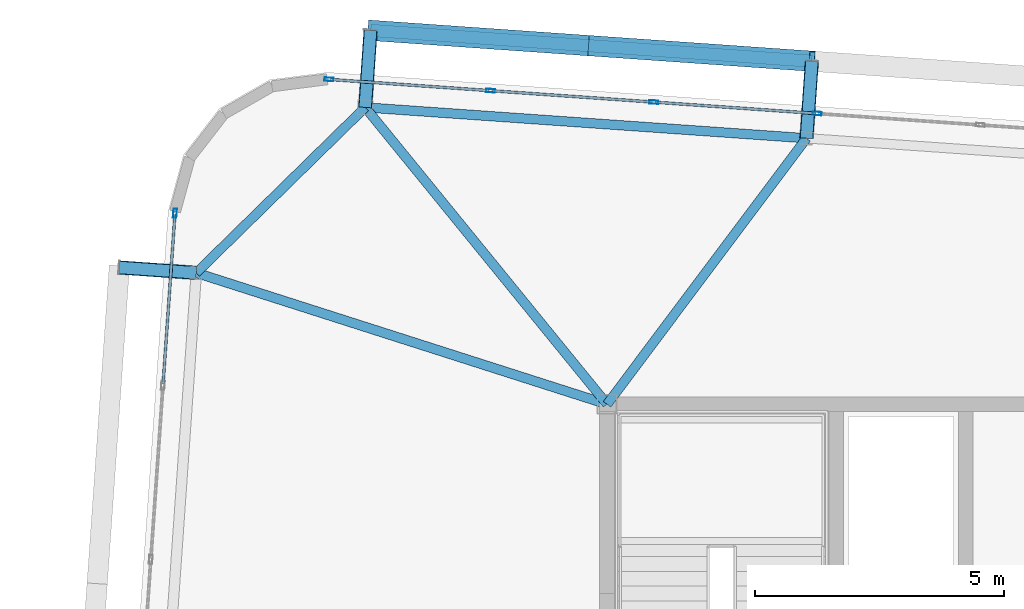
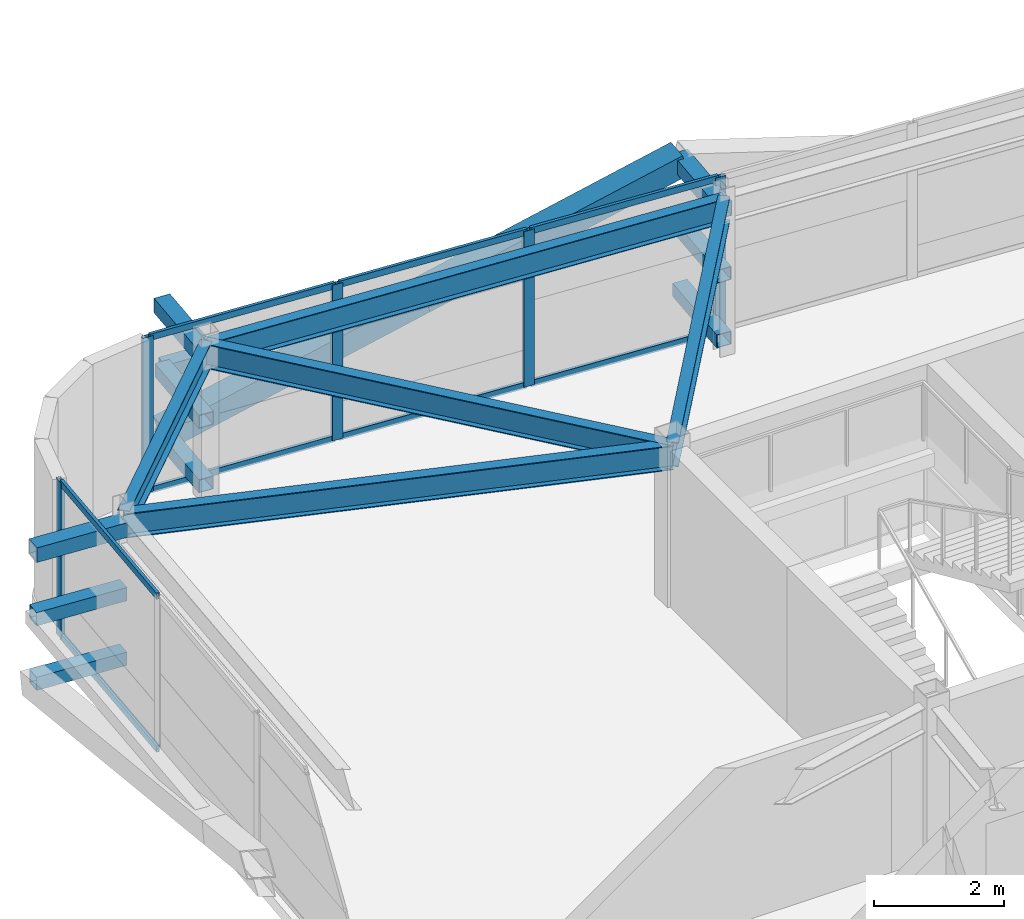
# One storey, part 26 of 47: 25 members, 5 beams, 2 elements without a shape of their own.
"""IFC4 building model written with IfcOpenShell, lengths in metres."""

from ifc_helpers import new_model, si_unit, direction, frame, origin, origin_2d, place, context, subcontext, project, spatial, hollow_rectangle, i_section, extrude, source, transform, mapped, material, layer, layer_set, material_profile, profile_set, type_object, element, aggregate, save


model = new_model("IFC4")

# Units and contexts
model_context = context("Model", 3, precision=1e-05, world=origin(), true_north=direction((0.0, 1.0)))
body_context = subcontext(model_context, "Body", "Model", "MODEL_VIEW")
ifc_project = project(units=[si_unit("LENGTHUNIT", "METRE"), si_unit("AREAUNIT", "SQUARE_METRE"), si_unit("VOLUMEUNIT", "CUBIC_METRE"), si_unit("PLANEANGLEUNIT", "RADIAN"), si_unit("MASSUNIT", "GRAM", prefix="KILO")], contexts=[model_context])

# Site, building, storey
site_placement = place(None, origin())
site = spatial("IfcSite", under=ifc_project, at=site_placement, CompositionType="ELEMENT")
building_placement = place(site_placement, origin())
building = spatial("IfcBuilding", under=site, at=building_placement, Name="Taldren Reach Tower", CompositionType="ELEMENT")
storey_placement = place(building_placement, frame((0.0, 0.0, 139.300048828125)))
storey = spatial("IfcBuildingStorey", under=building, at=storey_placement, Name="L42", CompositionType="ELEMENT", Elevation=139.300048828125)

# Members
ifc_material_1 = material(Name="Steel Gr 450 (C450L0)", Category="steel")
ifc_material_profile_1 = material_profile(ifc_material_1, hollow_rectangle(XDim=0.27490234375, YDim=0.27490234375, WallThickness=0.00927734375, at=origin_2d()), Name="275x275x9.3SHS")
ifc_profile_set_1 = profile_set([ifc_material_profile_1], Name="Steel Gr 450 (C450L0)")
member_type_1 = type_object("IfcMemberType", Name="MB-TIE273", PredefinedType="STRUT", material=ifc_profile_set_1)
shared_shape_1 = source(origin(), body_context, "Body", "SweptSolid", [
    extrude(hollow_rectangle(XDim=0.27490234375, YDim=0.27490234375, WallThickness=0.00927734375, at=origin_2d()), origin(), (0.0, 0.0, 1.0), 1.5498046875),
])
for number, where, z_axis, x_axis, name in (
    (1, (14.14453125, 37.958740234375, 2.64990234375), (0.069780535098, 0.997562367434, 0.0), (-0.997562367434, 0.069780535098, 0.0), "Exoskeleton diaphragm tie strut B3-N1 L42"),
    (2, (23.0029296875, 37.33935546875, 2.64990234375), (0.069780535098, 0.997562367434, 0.0), (-0.997562367434, 0.069780535098, 0.0), "Exoskeleton diaphragm tie strut B3-N2 L42"),
    (3, (10.754638671875, 34.63720703125, 2.64990234375), (-0.997562367434, 0.069780535098, 0.0), (-0.069780535098, -0.997562367434, 0.0), "Exoskeleton diaphragm tie strut B3-W3 L42"),
):
    element("IfcMember", number, at=place(storey_placement, frame(where, z_axis=z_axis, x_axis=x_axis)), inside=storey, type_object=member_type_1, Name=name, PredefinedType="STRUT", context=body_context, shape_type="MappedRepresentation", body=[
        mapped(shared_shape_1, transform((0.0, 0.0, 0.0), scale=1.0)),
    ])
ifc_material_2 = material(Name="Steel Gr 350 (C350L0)", Category="steel")
ifc_material_profile_2 = material_profile(ifc_material_2, hollow_rectangle(XDim=0.25, YDim=0.25, WallThickness=0.010009765625, at=origin_2d()), Name="250x250x10.0SHS")
ifc_profile_set_2 = profile_set([ifc_material_profile_2], Name="Steel Gr 350 (C350L0)")
member_type_2 = type_object("IfcMemberType", Name="MB-POST250", PredefinedType="POST", material=ifc_profile_set_2)
shared_shape_2 = source(origin(), body_context, "Body", "SweptSolid", [
    extrude(hollow_rectangle(XDim=0.25, YDim=0.25, WallThickness=0.010009765625, at=origin_2d()), origin(), (0.0, 0.0, 1.0), 1.5498046875),
])
for number, where, z_axis, x_axis, name in (
    (4, (14.14453125, 37.958740234375, 0.219970703125), (0.069780535098, 0.997562367434, 0.0), (-0.997562367434, 0.069780535098, 0.0), "Exoskeleton base diaphragm tie strut B3-N1 L42"),
    (5, (23.0029296875, 37.33935546875, 0.219970703125), (0.069780535098, 0.997562367434, 0.0), (-0.997562367434, 0.069780535098, 0.0), "Exoskeleton base diaphragm tie strut B3-N2 L42"),
    (6, (10.754638671875, 34.63720703125, 0.219970703125), (-0.997562367434, 0.069780535098, 0.0), (-0.069780535098, -0.997562367434, 0.0), "Exoskeleton base diaphragm tie strut B3-W3 L42"),
    (7, (14.14453125, 37.958740234375, 1.43505859375), (0.069780535098, 0.997562367434, 0.0), (-0.997562367434, 0.069780535098, 0.0), "Exoskeleton mid-tier diaphragm tie B3-N1 L42"),
    (8, (23.0029296875, 37.33935546875, 1.43505859375), (0.069780535098, 0.997562367434, 0.0), (-0.997562367434, 0.069780535098, 0.0), "Exoskeleton mid-tier diaphragm tie B3-N2 L42"),
    (9, (10.754638671875, 34.63720703125, 1.43505859375), (-0.997562367434, 0.069780535098, 0.0), (-0.069780535098, -0.997562367434, 0.0), "Exoskeleton mid-tier diaphragm tie B3-W3 L42"),
):
    element("IfcMember", number, at=place(storey_placement, frame(where, z_axis=z_axis, x_axis=x_axis)), inside=storey, type_object=member_type_2, Name=name, PredefinedType="POST", context=body_context, shape_type="MappedRepresentation", body=[
        mapped(shared_shape_2, transform((0.0, 0.0, 0.0), scale=1.0)),
    ])

# Beams
ifc_material_3 = material(Name="Steel Gr 350 (350PLUS)", Category="steel")
ifc_material_profile_3 = material_profile(ifc_material_3, i_section(OverallWidth=0.18994140625, OverallDepth=0.4541015625, WebThickness=0.008544921875, FlangeThickness=0.0126953125, at=origin_2d()), Name="460UB67.1")
ifc_profile_set_3 = profile_set([ifc_material_profile_3], Name="Steel Gr 350 (350PLUS)")
beam_type_1 = type_object("IfcBeamType", Name="SP-UB460B", PredefinedType="SPANDREL", material=ifc_profile_set_3)
shared_shape_3 = source(origin(), body_context, "Body", "SweptSolid", [
    extrude(i_section(OverallWidth=0.18994140625, OverallDepth=0.4541015625, WebThickness=0.008544921875, FlangeThickness=0.0126953125, at=origin_2d()), origin(), (0.0, 0.0, 1.0), 8.880126953125),
])
beam_1_placement = place(storey_placement, frame((23.0029296875, 37.33935546875, 2.702880859375), z_axis=(-0.997564479639, 0.069750333063, 0.0), x_axis=(-0.069750333063, -0.997564479639, 0.0)))
element("IfcBeam", 10, at=beam_1_placement, inside=storey, type_object=beam_type_1, Name="Perimeter spandrel B3 N2-N1 L42", PredefinedType="SPANDREL", context=body_context, shape_type="MappedRepresentation", body=[
    mapped(shared_shape_3, transform((0.0, 0.0, 0.0), scale=1.0)),
])
shared_shape_4 = source(origin(), body_context, "Body", "SweptSolid", [
    extrude(i_section(OverallWidth=0.18994140625, OverallDepth=0.4541015625, WebThickness=0.008544921875, FlangeThickness=0.0126953125, at=origin_2d()), origin(), (0.0, 0.0, 1.0), 4.745849609375),
])
beam_2_placement = place(storey_placement, frame((14.14453125, 37.958740234375, 2.702880859375), z_axis=(-0.714271982806, -0.699868226581, 0.0), x_axis=(0.699868226581, -0.714271982806, 0.0)))
element("IfcBeam", 11, at=beam_2_placement, inside=storey, type_object=beam_type_1, Name="Perimeter spandrel B3 N1-W3 L42", PredefinedType="SPANDREL", context=body_context, shape_type="MappedRepresentation", body=[
    mapped(shared_shape_4, transform((0.0, 0.0, 0.0), scale=1.0)),
])
ifc_material_profile_4 = material_profile(ifc_material_3, i_section(OverallWidth=0.19091796875, OverallDepth=0.4599609375, WebThickness=0.010009765625, FlangeThickness=0.01611328125, at=origin_2d()), Name="460UB82.1")
ifc_profile_set_4 = profile_set([ifc_material_profile_4], Name="Steel Gr 350 (350PLUS)")
beam_type_2 = type_object("IfcBeamType", Name="BM-UB460A", PredefinedType="BEAM", material=ifc_profile_set_4)
shared_shape_5 = source(origin(), body_context, "Body", "SweptSolid", [
    extrude(i_section(OverallWidth=0.19091796875, OverallDepth=0.4599609375, WebThickness=0.010009765625, FlangeThickness=0.01611328125, at=origin_2d()), origin(), (0.0, 0.0, 1.0), 6.67333984375),
])
beam_3_placement = place(storey_placement, frame((19.0, 32.0, 2.699951171875), z_axis=(0.599847795508, 0.800114130749, 0.0), x_axis=(-0.800114130749, 0.599847795508, 0.0)))
element("IfcBeam", 12, at=beam_3_placement, inside=storey, type_object=beam_type_2, Name="Primary floor girder B3-N2 L42", PredefinedType="BEAM", context=body_context, shape_type="MappedRepresentation", body=[
    mapped(shared_shape_5, transform((0.0, 0.0, 0.0), scale=1.0)),
])
shared_shape_6 = source(origin(), body_context, "Body", "SweptSolid", [
    extrude(i_section(OverallWidth=0.19091796875, OverallDepth=0.4599609375, WebThickness=0.010009765625, FlangeThickness=0.01611328125, at=origin_2d()), origin(), (0.0, 0.0, 1.0), 7.6865234375),
])
beam_4_placement = place(storey_placement, frame((19.0, 32.0, 2.699951171875), z_axis=(-0.631688504871, 0.775222311866, 0.0), x_axis=(-0.775222311866, -0.631688504871, 0.0)))
element("IfcBeam", 13, at=beam_4_placement, inside=storey, type_object=beam_type_2, Name="Primary floor girder B3-N1 L42", PredefinedType="BEAM", context=body_context, shape_type="MappedRepresentation", body=[
    mapped(shared_shape_6, transform((0.0, 0.0, 0.0), scale=1.0)),
])
shared_shape_7 = source(origin(), body_context, "Body", "SweptSolid", [
    extrude(i_section(OverallWidth=0.19091796875, OverallDepth=0.4599609375, WebThickness=0.010009765625, FlangeThickness=0.01611328125, at=origin_2d()), origin(), (0.0, 0.0, 1.0), 8.65673828125),
])
beam_5_placement = place(storey_placement, frame((19.0, 32.0, 2.699951171875), z_axis=(-0.952468016288, 0.304638602195, 0.0), x_axis=(-0.304638602195, -0.952468016288, 0.0)))
element("IfcBeam", 14, at=beam_5_placement, inside=storey, type_object=beam_type_2, Name="Primary floor girder B3-W3 L42", PredefinedType="BEAM", context=body_context, shape_type="MappedRepresentation", body=[
    mapped(shared_shape_7, transform((0.0, 0.0, 0.0), scale=1.0)),
])

# Members
shared_shape_8 = source(origin(), body_context, "Body", "SweptSolid", [
    extrude(hollow_rectangle(XDim=0.25, YDim=0.25, WallThickness=0.010009765625, at=origin_2d()), origin(), (0.0, 0.0, 1.0), 8.880126953125),
])
member_1_placement = place(storey_placement, frame((14.252685546875, 39.5048828125, 1.43505859375), z_axis=(0.997564479639, -0.069750333063, 0.0), x_axis=(0.069750333063, 0.997564479639, 0.0)))
element("IfcMember", 15, at=member_1_placement, inside=storey, type_object=member_type_2, Name="Exoskeleton mid-height ring chord B3-N1 L42", PredefinedType="POST", context=body_context, shape_type="MappedRepresentation", body=[
    mapped(shared_shape_8, transform((0.0, 0.0, 0.0), scale=1.0)),
])
ifc_material_profile_5 = material_profile(ifc_material_1, hollow_rectangle(XDim=0.409912109375, YDim=0.409912109375, WallThickness=0.01611328125, at=origin_2d()), Name="410x410x16.0SHS")
ifc_profile_set_5 = profile_set([ifc_material_profile_5], Name="Steel Gr 450 (C450L0)")
member_type_3 = type_object("IfcMemberType", Name="MB-EXO406", PredefinedType="BRACE", material=ifc_profile_set_5)
shared_shape_9 = source(origin(), body_context, "Body", "SweptSolid", [
    extrude(hollow_rectangle(XDim=0.409912109375, YDim=0.409912109375, WallThickness=0.01611328125, at=origin_2d()), origin(), (0.0, 0.0, 1.0), 4.603271484375),
])
for number, where, z_axis, x_axis, name in (
    (16, (14.252685546875, 39.5048828125, 0.219970703125), (0.962185784239, -0.067250114343, 0.263962002434), (0.069722973508, 0.997566392259, 0.0), "Exoskeleton Diagrid Brace B3-N1 L42"),
    (17, (18.681884765625, 39.1953125, 1.43505859375), (0.962195820062, -0.067303852699, 0.263911718699), (0.06977769246, 0.997562566276, 0.0), "Exoskeleton Diagrid Brace B3-N1 L42"),
):
    element("IfcMember", number, at=place(storey_placement, frame(where, z_axis=z_axis, x_axis=x_axis)), inside=storey, type_object=member_type_3, Name=name, PredefinedType="BRACE", context=body_context, shape_type="MappedRepresentation", body=[
        mapped(shared_shape_9, transform((0.0, 0.0, 0.0), scale=1.0)),
    ])

# Curtain wall, members
ifc_material_4 = material(Name="Aluminium and Low-E Glass Unitised System", Category="aluminium")
ifc_layer = layer(ifc_material_4, 0.159912109375)
ifc_layer_set = layer_set([ifc_layer], Name="Aluminium and Low-E Glass Unitised System")
curtain_wall_type = type_object("IfcCurtainWallType", Name="CW-SYS-4", PredefinedType="NOTDEFINED", material=ifc_layer_set)
curtain_wall_1_placement = place(storey_placement, origin())
curtain_wall_1 = element("IfcCurtainWall", 18, at=curtain_wall_1_placement, inside=storey, type_object=curtain_wall_type, Name="Unitised curtain wall CW-L42-N", PredefinedType="NOTDEFINED")
ifc_material_5 = material(Name="Anodised Aluminium 6063-T6", Category="aluminium")
ifc_material_profile_6 = material_profile(ifc_material_5, hollow_rectangle(XDim=0.070068359375, YDim=0.179931640625, WallThickness=0.00390625, at=origin_2d()), Name="ALU-180x70x4RHS")
ifc_profile_set_6 = profile_set([ifc_material_profile_6], Name="Anodised Aluminium 6063-T6")
member_type_4 = type_object("IfcMemberType", Name="CW-MUL-180", PredefinedType="MULLION", material=ifc_profile_set_6)
shared_shape_10 = source(origin(), body_context, "Body", "SweptSolid", [
    extrude(hollow_rectangle(XDim=0.070068359375, YDim=0.179931640625, WallThickness=0.00390625, at=origin_2d()), origin(), (0.0, 0.0, 1.0), 2.929931640625),
])
member_2_placement = place(storey_placement, frame((23.21533203125, 37.835693359375, 0.0), z_axis=(0.0, 0.0, 1.0), x_axis=(-0.06975651593, -0.99756404731, 0.0)))
member_2 = element("IfcMember", 19, at=member_2_placement, type_object=member_type_4, Name="CW-4 mullion 12", PredefinedType="MULLION", context=body_context, shape_type="MappedRepresentation", body=[
    mapped(shared_shape_10, transform((0.0, 0.0, 0.0), scale=1.0)),
])
member_3_placement = place(storey_placement, frame((19.9375, 38.06494140625, 0.0), z_axis=(0.0, 0.0, 1.0), x_axis=(-0.06975651593, -0.99756404731, 0.0)))
member_3 = element("IfcMember", 20, at=member_3_placement, type_object=member_type_4, Name="CW-4 mullion 13", PredefinedType="MULLION", context=body_context, shape_type="MappedRepresentation", body=[
    mapped(shared_shape_10, transform((0.0, 0.0, 0.0), scale=1.0)),
])
member_4_placement = place(storey_placement, frame((16.659912109375, 38.294189453125, 0.0), z_axis=(0.0, 0.0, 1.0), x_axis=(-0.06975651593, -0.99756404731, 0.0)))
member_4 = element("IfcMember", 21, at=member_4_placement, type_object=member_type_4, Name="CW-4 mullion 14", PredefinedType="MULLION", context=body_context, shape_type="MappedRepresentation", body=[
    mapped(shared_shape_10, transform((0.0, 0.0, 0.0), scale=1.0)),
])
member_5_placement = place(storey_placement, frame((13.4169921875, 38.52099609375, 0.0), z_axis=(0.0, 0.0, 1.0), x_axis=(-0.06975651593, -0.99756404731, 0.0)))
member_5 = element("IfcMember", 22, at=member_5_placement, type_object=member_type_4, Name="CW-4 mullion 15", PredefinedType="MULLION", context=body_context, shape_type="MappedRepresentation", body=[
    mapped(shared_shape_10, transform((0.0, 0.0, 0.0), scale=1.0)),
])

# Curtain wall, member
curtain_wall_2_placement = place(storey_placement, origin())
curtain_wall_2 = element("IfcCurtainWall", 23, at=curtain_wall_2_placement, inside=storey, type_object=curtain_wall_type, Name="Unitised curtain wall CW-L42-W", PredefinedType="NOTDEFINED")
member_6_placement = place(storey_placement, frame((10.3271484375, 35.8349609375, 0.0), z_axis=(0.0, 0.0, 1.0), x_axis=(0.997564052812, -0.069756437251, 0.0)))
member_6 = element("IfcMember", 24, at=member_6_placement, type_object=member_type_4, Name="CW-4 mullion 1", PredefinedType="MULLION", context=body_context, shape_type="MappedRepresentation", body=[
    mapped(shared_shape_10, transform((0.0, 0.0, 0.0), scale=1.0)),
])

# Member
ifc_material_profile_7 = material_profile(ifc_material_5, hollow_rectangle(XDim=0.054931640625, YDim=0.1201171875, WallThickness=0.0029296875, at=origin_2d()), Name="ALU-120x55x3RHS")
ifc_profile_set_7 = profile_set([ifc_material_profile_7], Name="Anodised Aluminium 6063-T6")
member_type_5 = type_object("IfcMemberType", Name="CW-TRN-135", PredefinedType="USERDEFINED", material=ifc_profile_set_7)
shared_shape_11 = source(origin(), body_context, "Body", "SweptSolid", [
    extrude(hollow_rectangle(XDim=0.054931640625, YDim=0.1201171875, WallThickness=0.0029296875, at=origin_2d()), origin(), (0.0, 0.0, 1.0), 3.2158203125),
])
member_7_placement = place(storey_placement, frame((23.180419921875, 37.838134765625, 0.02734375), z_axis=(-0.997563195991, 0.069768689278, 0.0), x_axis=(-0.069768689278, -0.997563195991, 0.0)))
member_7 = element("IfcMember", 25, at=member_7_placement, type_object=member_type_5, Name="CW-4 transom 12.1", ObjectType="TRANSOM", PredefinedType="USERDEFINED", context=body_context, shape_type="MappedRepresentation", body=[
    mapped(shared_shape_11, transform((0.0, 0.0, 0.0), scale=1.0)),
])

member_8_placement = place(storey_placement, frame((23.180419921875, 37.838134765625, 2.90234375), z_axis=(-0.997563195991, 0.069768689278, 0.0), x_axis=(-0.069768689278, -0.997563195991, 0.0)))
member_8 = element("IfcMember", 26, at=member_8_placement, type_object=member_type_5, Name="CW-4 transom 12.2", ObjectType="TRANSOM", PredefinedType="USERDEFINED", context=body_context, shape_type="MappedRepresentation", body=[
    mapped(shared_shape_11, transform((0.0, 0.0, 0.0), scale=1.0)),
])

shared_shape_12 = source(origin(), body_context, "Body", "SweptSolid", [
    extrude(hollow_rectangle(XDim=0.054931640625, YDim=0.1201171875, WallThickness=0.0029296875, at=origin_2d()), origin(), (0.0, 0.0, 1.0), 3.215576171875),
])
member_9_placement = place(storey_placement, frame((19.902587890625, 38.0673828125, 0.02734375), z_axis=(-0.997562826405, 0.069773973473, 0.0), x_axis=(-0.069773973473, -0.997562826405, 0.0)))
member_9 = element("IfcMember", 27, at=member_9_placement, type_object=member_type_5, Name="CW-4 transom 13.1", ObjectType="TRANSOM", PredefinedType="USERDEFINED", context=body_context, shape_type="MappedRepresentation", body=[
    mapped(shared_shape_12, transform((0.0, 0.0, 0.0), scale=1.0)),
])

member_10_placement = place(storey_placement, frame((19.902587890625, 38.0673828125, 2.90234375), z_axis=(-0.997562826405, 0.069773973473, 0.0), x_axis=(-0.069773973473, -0.997562826405, 0.0)))
member_10 = element("IfcMember", 28, at=member_10_placement, type_object=member_type_5, Name="CW-4 transom 13.2", ObjectType="TRANSOM", PredefinedType="USERDEFINED", context=body_context, shape_type="MappedRepresentation", body=[
    mapped(shared_shape_12, transform((0.0, 0.0, 0.0), scale=1.0)),
])

shared_shape_13 = source(origin(), body_context, "Body", "SweptSolid", [
    extrude(hollow_rectangle(XDim=0.054931640625, YDim=0.1201171875, WallThickness=0.0029296875, at=origin_2d()), origin(), (0.0, 0.0, 1.0), 3.180908203125),
])
member_11_placement = place(storey_placement, frame((16.625, 38.296630859375, 0.02734375), z_axis=(-0.99756318908, 0.069768788095, 0.0), x_axis=(-0.069768788095, -0.99756318908, 0.0)))
member_11 = element("IfcMember", 29, at=member_11_placement, type_object=member_type_5, Name="CW-4 transom 14.1", ObjectType="TRANSOM", PredefinedType="USERDEFINED", context=body_context, shape_type="MappedRepresentation", body=[
    mapped(shared_shape_13, transform((0.0, 0.0, 0.0), scale=1.0)),
])

member_12_placement = place(storey_placement, frame((16.625, 38.296630859375, 2.90234375), z_axis=(-0.99756318908, 0.069768788095, 0.0), x_axis=(-0.069768788095, -0.99756318908, 0.0)))
member_12 = element("IfcMember", 30, at=member_12_placement, type_object=member_type_5, Name="CW-4 transom 14.2", ObjectType="TRANSOM", PredefinedType="USERDEFINED", context=body_context, shape_type="MappedRepresentation", body=[
    mapped(shared_shape_13, transform((0.0, 0.0, 0.0), scale=1.0)),
])

aggregate(curtain_wall_1, [member_2, member_3, member_4, member_5, member_7, member_8, member_9, member_10, member_11, member_12])

shared_shape_14 = source(origin(), body_context, "Body", "SweptSolid", [
    extrude(hollow_rectangle(XDim=0.054931640625, YDim=0.1201171875, WallThickness=0.0029296875, at=origin_2d()), origin(), (0.0, 0.0, 1.0), 3.39501953125),
])
member_13_placement = place(storey_placement, frame((10.32470703125, 35.800048828125, 0.02734375), z_axis=(-0.069754703634, -0.997564174036, 0.0), x_axis=(0.997564174036, -0.069754703634, 0.0)))
member_13 = element("IfcMember", 31, at=member_13_placement, type_object=member_type_5, Name="CW-4 transom 1.1", ObjectType="TRANSOM", PredefinedType="USERDEFINED", context=body_context, shape_type="MappedRepresentation", body=[
    mapped(shared_shape_14, transform((0.0, 0.0, 0.0), scale=1.0)),
])

member_14_placement = place(storey_placement, frame((10.32470703125, 35.800048828125, 2.90234375), z_axis=(-0.069754703634, -0.997564174036, 0.0), x_axis=(0.997564174036, -0.069754703634, 0.0)))
member_14 = element("IfcMember", 32, at=member_14_placement, type_object=member_type_5, Name="CW-4 transom 1.2", ObjectType="TRANSOM", PredefinedType="USERDEFINED", context=body_context, shape_type="MappedRepresentation", body=[
    mapped(shared_shape_14, transform((0.0, 0.0, 0.0), scale=1.0)),
])

aggregate(curtain_wall_2, [member_6, member_13, member_14])

save(model, "model.ifc")
